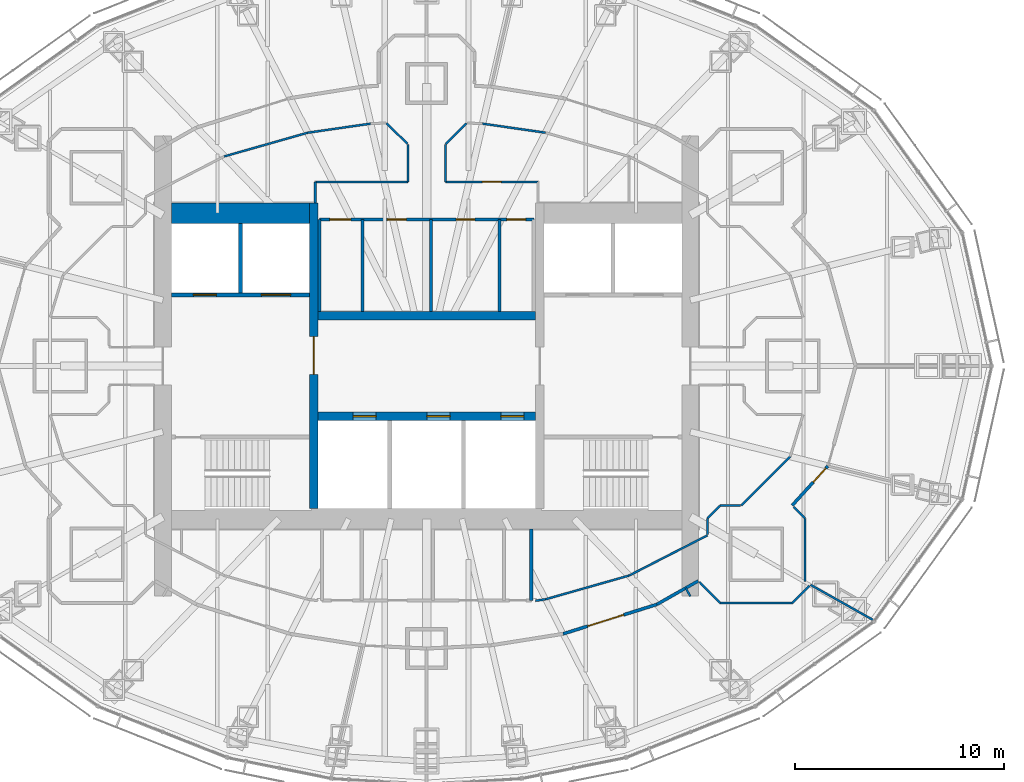
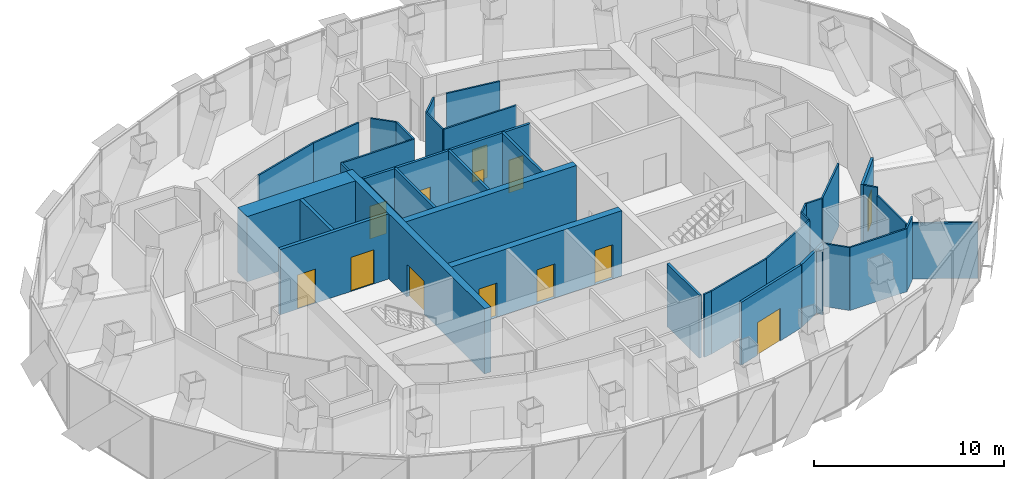
# One storey, part 13 of 18: 39 walls, 13 doors, 13 openings.
"""IFC4 building model written with IfcOpenShell, lengths in metres."""

from ifc_helpers import new_model, si_unit, direction, frame, frame_2d, origin, place, context, subcontext, project, spatial, rectangle, extrude, material, layer, layer_set, type_object, element, fill, save


model = new_model("IFC4")

# Units and contexts
model_context = context("Model", 3, precision=1e-05, world=origin(), true_north=direction((0.0, 1.0)))
body_context = subcontext(model_context, "Body", "Model", "MODEL_VIEW")
ifc_project = project(units=[si_unit("LENGTHUNIT", "METRE"), si_unit("AREAUNIT", "SQUARE_METRE"), si_unit("VOLUMEUNIT", "CUBIC_METRE"), si_unit("PLANEANGLEUNIT", "RADIAN"), si_unit("MASSUNIT", "GRAM", prefix="KILO")], contexts=[model_context])

# Site, building, storey
site_placement = place(None, origin())
site = spatial("IfcSite", under=ifc_project, at=site_placement, CompositionType="ELEMENT")
building_placement = place(site_placement, origin())
building = spatial("IfcBuilding", under=site, at=building_placement, Name="Lantaw Convention Tower", CompositionType="ELEMENT")
storey_placement = place(building_placement, frame((0.0, 0.0, 266.199951171875)))
storey = spatial("IfcBuildingStorey", under=building, at=storey_placement, Name="L62", CompositionType="ELEMENT", Elevation=266.199951171875)

# Wall
ifc_material_1 = material(Name="Concrete C60/75", Category="concrete")
ifc_layer_1 = layer(ifc_material_1, 1.0)
ifc_layer_set_1 = layer_set([ifc_layer_1], Name="Core wall 1000")
wall_type_1 = type_object("IfcWallType", Name="Core wall 1000", PredefinedType="SHEAR", material=ifc_layer_set_1)
wall_1_placement = place(storey_placement, frame((-5.60009765625, 7.300048828125, 0.0), z_axis=(0.0, 0.0, 1.0), x_axis=(-1.0, 0.0, 0.0)))
element("IfcWall", 1, at=wall_1_placement, inside=storey, type_object=wall_type_1, Name="Core wall NW", PredefinedType="SHEAR", context=body_context, shape_type="SweptSolid", body=[
    extrude(rectangle(XDim=6.599853515625, YDim=1.0, at=frame_2d((3.2998046875, 0.0))), origin(), (0.0, 0.0, 1.0), 4.199951171875),
])

# Wall, opening, door
ifc_layer_2 = layer(ifc_material_1, 0.39990234375)
ifc_layer_set_2 = layer_set([ifc_layer_2], Name="Core wall 400")
wall_type_2 = type_object("IfcWallType", Name="Core wall 400", PredefinedType="SHEAR", material=ifc_layer_set_2)
wall_2_placement = place(storey_placement, frame((-5.39990234375, 7.800048828125, 0.0), z_axis=(0.0, 0.0, 1.0), x_axis=(0.0, -1.0, 0.0)))
wall_2 = element("IfcWall", 2, at=wall_2_placement, inside=storey, type_object=wall_type_2, Name="Core wall XW", PredefinedType="SHEAR", context=body_context, shape_type="SweptSolid", body=[
    extrude(rectangle(XDim=14.60009765625, YDim=0.39990234375, at=frame_2d((7.300048828125, 0.0))), origin(), (0.0, 0.0, 1.0), 4.199951171875),
])
opening_1_placement = place(wall_2_placement, frame((6.39990234375, 0.0, 0.0)))
opening_1 = element("IfcOpeningElement", 3, at=opening_1_placement, cuts=wall_2, Name="Opening L62.02", PredefinedType="OPENING", context=body_context, shape_type="SweptSolid", body=[
    extrude(rectangle(XDim=1.800048828125, YDim=2.10009765625, at=frame_2d((0.89990234375, 1.050048828125))), frame((0.0, 0.2099609375, 0.0), z_axis=(0.0, -1.0, 0.0), x_axis=(1.0, 0.0, 0.0)), (0.0, 0.0, 1.0), 0.419921875),
])
ifc_material_2 = material(Name="Steel, fire rated", Category="steel")
door_type_1 = type_object("IfcDoorType", Name="Lobby double door FD90", OperationType="DOUBLE_DOOR_DOUBLE_SWING", PredefinedType="DOOR", material=ifc_material_2)
door_1_placement = place(opening_1_placement, origin())
door_1 = element("IfcDoor", 4, at=door_1_placement, inside=storey, type_object=door_type_1, Name="Lift lobby door", OperationType="DOUBLE_DOOR_DOUBLE_SWING", OverallHeight=2.10009765625, OverallWidth=1.800048828125, PredefinedType="DOOR", context=body_context, shape_type="SweptSolid", body=[
    extrude(rectangle(XDim=1.800048828125, YDim=2.10009765625, at=frame_2d((0.89990234375, 1.050048828125))), frame((0.0, 0.02490234375, 0.0), z_axis=(0.0, -1.0, 0.0), x_axis=(1.0, 0.0, 0.0)), (0.0, 0.0, 1.0), 0.050048828125),
])
fill(opening_1, door_1)

# Wall, openings, doors
wall_3_placement = place(storey_placement, frame((-5.199951171875, -2.39990234375, 0.0), z_axis=(0.0, 0.0, 1.0), x_axis=(1.0, 0.0, 0.0)))
wall_3 = element("IfcWall", 5, at=wall_3_placement, inside=storey, type_object=wall_type_2, Name="Core wall BS", PredefinedType="SHEAR", context=body_context, shape_type="SweptSolid", body=[
    extrude(rectangle(XDim=10.39990234375, YDim=0.39990234375, at=frame_2d((5.199951171875, 0.0))), origin(), (0.0, 0.0, 1.0), 4.199951171875),
])
opening_2_placement = place(wall_3_placement, frame((1.683349609375, 0.0, 0.0)))
opening_2 = element("IfcOpeningElement", 6, at=opening_2_placement, cuts=wall_3, Name="Opening L62.07", PredefinedType="OPENING", context=body_context, shape_type="SweptSolid", body=[
    extrude(rectangle(XDim=1.10009765625, YDim=2.199951171875, at=frame_2d((0.550048828125, 1.10009765625))), frame((0.0, 0.2099609375, 0.0), z_axis=(0.0, -1.0, 0.0), x_axis=(1.0, 0.0, 0.0)), (0.0, 0.0, 1.0), 0.419921875),
])
opening_3_placement = place(wall_3_placement, frame((5.216796875, 0.0, 0.0)))
opening_3 = element("IfcOpeningElement", 7, at=opening_3_placement, cuts=wall_3, Name="Opening L62.08", PredefinedType="OPENING", context=body_context, shape_type="SweptSolid", body=[
    extrude(rectangle(XDim=1.10009765625, YDim=2.199951171875, at=frame_2d((0.550048828125, 1.10009765625))), frame((0.0, 0.2099609375, 0.0), z_axis=(0.0, -1.0, 0.0), x_axis=(1.0, 0.0, 0.0)), (0.0, 0.0, 1.0), 0.419921875),
])
opening_4_placement = place(wall_3_placement, frame((8.75, 0.0, 0.0)))
opening_4 = element("IfcOpeningElement", 8, at=opening_4_placement, cuts=wall_3, Name="Opening L62.09", PredefinedType="OPENING", context=body_context, shape_type="SweptSolid", body=[
    extrude(rectangle(XDim=1.10009765625, YDim=2.199951171875, at=frame_2d((0.550048828125, 1.10009765625))), frame((0.0, 0.2099609375, 0.0), z_axis=(0.0, -1.0, 0.0), x_axis=(1.0, 0.0, 0.0)), (0.0, 0.0, 1.0), 0.419921875),
])
ifc_material_3 = material(Name="Stainless steel", Category="steel")
door_type_2 = type_object("IfcDoorType", Name="Lift landing door 1100", OperationType="DOUBLE_DOOR_SLIDING", PredefinedType="DOOR", material=ifc_material_3)
door_2_placement = place(opening_2_placement, origin())
door_2 = element("IfcDoor", 9, at=door_2_placement, inside=storey, type_object=door_type_2, Name="Lift landing door S1", OperationType="DOUBLE_DOOR_SLIDING", OverallHeight=2.199951171875, OverallWidth=1.10009765625, PredefinedType="DOOR", context=body_context, shape_type="SweptSolid", body=[
    extrude(rectangle(XDim=1.10009765625, YDim=2.199951171875, at=frame_2d((0.550048828125, 1.10009765625))), frame((0.0, 0.02490234375, 0.0), z_axis=(0.0, -1.0, 0.0), x_axis=(1.0, 0.0, 0.0)), (0.0, 0.0, 1.0), 0.050048828125),
])
fill(opening_2, door_2)
door_3_placement = place(opening_3_placement, origin())
door_3 = element("IfcDoor", 10, at=door_3_placement, inside=storey, type_object=door_type_2, Name="Lift landing door S2", OperationType="DOUBLE_DOOR_SLIDING", OverallHeight=2.199951171875, OverallWidth=1.10009765625, PredefinedType="DOOR", context=body_context, shape_type="SweptSolid", body=[
    extrude(rectangle(XDim=1.10009765625, YDim=2.199951171875, at=frame_2d((0.550048828125, 1.10009765625))), frame((0.0, 0.02490234375, 0.0), z_axis=(0.0, -1.0, 0.0), x_axis=(1.0, 0.0, 0.0)), (0.0, 0.0, 1.0), 0.050048828125),
])
fill(opening_3, door_3)
door_4_placement = place(opening_4_placement, origin())
door_4 = element("IfcDoor", 11, at=door_4_placement, inside=storey, type_object=door_type_2, Name="Lift landing door S3", OperationType="DOUBLE_DOOR_SLIDING", OverallHeight=2.199951171875, OverallWidth=1.10009765625, PredefinedType="DOOR", context=body_context, shape_type="SweptSolid", body=[
    extrude(rectangle(XDim=1.10009765625, YDim=2.199951171875, at=frame_2d((0.550048828125, 1.10009765625))), frame((0.0, 0.02490234375, 0.0), z_axis=(0.0, -1.0, 0.0), x_axis=(1.0, 0.0, 0.0)), (0.0, 0.0, 1.0), 0.050048828125),
])
fill(opening_4, door_4)

# Wall
wall_4_placement = place(storey_placement, frame((5.199951171875, 2.39990234375, 0.0), z_axis=(0.0, 0.0, 1.0), x_axis=(-1.0, 0.0, 0.0)))
element("IfcWall", 12, at=wall_4_placement, inside=storey, type_object=wall_type_2, Name="Core wall BN", PredefinedType="SHEAR", context=body_context, shape_type="SweptSolid", body=[
    extrude(rectangle(XDim=10.39990234375, YDim=0.39990234375, at=frame_2d((5.199951171875, 0.0))), origin(), (0.0, 0.0, 1.0), 4.199951171875),
])

# Wall, opening, door
ifc_material_4 = material(Name="Gypsum board on steel studs, fire rated", Category="steel")
ifc_layer_3 = layer(ifc_material_4, 0.14990234375)
ifc_layer_set_3 = layer_set([ifc_layer_3], Name="Corridor wall 150 EI 60")
wall_type_3 = type_object("IfcWallType", Name="Corridor wall 150 EI 60", PredefinedType="PARTITIONING", material=ifc_layer_set_3)
wall_5_placement = place(storey_placement, frame((6.521240234375, -12.798828125, 0.0), z_axis=(0.0, 0.0, 1.0), x_axis=(0.954031103669, 0.299707612903, 0.0)))
wall_5 = element("IfcWall", 13, at=wall_5_placement, inside=storey, type_object=wall_type_3, Name="Corridor wall 150", PredefinedType="PARTITIONING", context=body_context, shape_type="SweptSolid", body=[
    extrude(rectangle(XDim=4.6953125, YDim=0.14990234375, at=frame_2d((2.34765625, 0.0))), origin(), (0.0, 0.0, 1.0), 4.050048828125),
])
opening_5_placement = place(wall_5_placement, frame((1.2314453125, 0.0, 0.0)))
opening_5 = element("IfcOpeningElement", 14, at=opening_5_placement, cuts=wall_5, Name="Opening L62.34", PredefinedType="OPENING", context=body_context, shape_type="SweptSolid", body=[
    extrude(rectangle(XDim=1.800048828125, YDim=2.10009765625, at=frame_2d((0.89990234375, 1.050048828125))), frame((0.0, 0.0849609375, 0.0), z_axis=(0.0, -1.0, 0.0), x_axis=(1.0, 0.0, 0.0)), (0.0, 0.0, 1.0), 0.169921875),
])
door_type_3 = type_object("IfcDoorType", Name="Office double door 1800 FD30", OperationType="DOUBLE_DOOR_DOUBLE_SWING", PredefinedType="DOOR", material=ifc_material_2)
door_5_placement = place(opening_5_placement, origin())
door_5 = element("IfcDoor", 15, at=door_5_placement, inside=storey, type_object=door_type_3, Name="Tenant suite door", OperationType="DOUBLE_DOOR_DOUBLE_SWING", OverallHeight=2.10009765625, OverallWidth=1.800048828125, PredefinedType="DOOR", context=body_context, shape_type="SweptSolid", body=[
    extrude(rectangle(XDim=1.800048828125, YDim=2.10009765625, at=frame_2d((0.89990234375, 1.050048828125))), frame((0.0, 0.02490234375, 0.0), z_axis=(0.0, -1.0, 0.0), x_axis=(1.0, 0.0, 0.0)), (0.0, 0.0, 1.0), 0.050048828125),
])
fill(opening_5, door_5)

# Wall
wall_6_placement = place(storey_placement, frame((11.000732421875, -11.3916015625, 0.0), z_axis=(0.0, 0.0, 1.0), x_axis=(0.869722107117, 0.493541747366, 0.0)))
element("IfcWall", 16, at=wall_6_placement, inside=storey, type_object=wall_type_3, Name="Corridor wall 150", PredefinedType="PARTITIONING", context=body_context, shape_type="SweptSolid", body=[
    extrude(rectangle(XDim=2.26953125, YDim=0.14990234375, at=frame_2d((1.134765625, 0.0))), origin(), (0.0, 0.0, 1.0), 4.050048828125),
])

# Wall, opening, door
wall_7_placement = place(storey_placement, frame((17.462646484375, -6.6650390625, 0.0), z_axis=(0.0, 0.0, 1.0), x_axis=(0.671721890643, 0.74080341632, 0.0)))
wall_7 = element("IfcWall", 17, at=wall_7_placement, inside=storey, type_object=wall_type_3, Name="Corridor wall 150", PredefinedType="PARTITIONING", context=body_context, shape_type="SweptSolid", body=[
    extrude(rectangle(XDim=2.54443359375, YDim=0.14990234375, at=frame_2d((1.272216796875, 0.0))), origin(), (0.0, 0.0, 1.0), 4.050048828125),
])
opening_6_placement = place(wall_7_placement, frame((1.5, 0.0, 0.0)))
opening_6 = element("IfcOpeningElement", 18, at=opening_6_placement, cuts=wall_7, Name="Opening L62.35", PredefinedType="OPENING", context=body_context, shape_type="SweptSolid", body=[
    extrude(rectangle(XDim=0.89990234375, YDim=2.10009765625, at=frame_2d((0.449951171875, 1.050048828125))), frame((0.0, 0.0849609375, 0.0), z_axis=(0.0, -1.0, 0.0), x_axis=(1.0, 0.0, 0.0)), (0.0, 0.0, 1.0), 0.169921875),
])
door_type_4 = type_object("IfcDoorType", Name="Office door 900 FD30", OperationType="SINGLE_SWING_LEFT", PredefinedType="DOOR", material=ifc_material_2)
door_6_placement = place(opening_6_placement, origin())
door_6 = element("IfcDoor", 19, at=door_6_placement, inside=storey, type_object=door_type_4, Name="Meeting room door", OperationType="SINGLE_SWING_LEFT", OverallHeight=2.10009765625, OverallWidth=0.89990234375, PredefinedType="DOOR", context=body_context, shape_type="SweptSolid", body=[
    extrude(rectangle(XDim=0.89990234375, YDim=2.10009765625, at=frame_2d((0.449951171875, 1.050048828125))), frame((0.0, 0.02490234375, 0.0), z_axis=(0.0, -1.0, 0.0), x_axis=(1.0, 0.0, 0.0)), (0.0, 0.0, 1.0), 0.050048828125),
])
fill(opening_6, door_6)

# Walls
ifc_material_5 = material(Name="Gypsum board on steel studs, acoustic", Category="steel")
ifc_layer_4 = layer(ifc_material_5, 0.10009765625)
ifc_layer_set_4 = layer_set([ifc_layer_4], Name="Office partition 100")
wall_type_4 = type_object("IfcWallType", Name="Office partition 100", PredefinedType="PARTITIONING", material=ifc_layer_set_4)
wall_8_placement = place(storey_placement, frame((9.67041015625, -10.01416015625, 0.0), z_axis=(0.0, 0.0, 1.0), x_axis=(-0.961973498971, -0.273142796496, 0.0)))
element("IfcWall", 20, at=wall_8_placement, inside=storey, type_object=wall_type_4, Name="Office partition 100", PredefinedType="PARTITIONING", context=body_context, shape_type="SweptSolid", body=[
    extrude(rectangle(XDim=4.148193359375, YDim=0.10009765625, at=frame_2d((2.07421875, 0.0))), origin(), (0.0, 0.0, 1.0), 4.050048828125),
])
wall_9_placement = place(storey_placement, frame((5.679931640625, -11.147216796875, 0.0), z_axis=(0.0, 0.0, 1.0), x_axis=(-0.989797891768, -0.142478536811, 0.0)))
element("IfcWall", 21, at=wall_9_placement, inside=storey, type_object=wall_type_4, Name="Office partition 100", PredefinedType="PARTITIONING", context=body_context, shape_type="SweptSolid", body=[
    extrude(rectangle(XDim=0.48486328125, YDim=0.10009765625, at=frame_2d((0.242431640625, 0.0))), origin(), (0.0, 0.0, 1.0), 4.050048828125),
])

# Wall, opening, door
wall_10_placement = place(storey_placement, frame((5.320068359375, 8.800048828125, 0.0), z_axis=(0.0, 0.0, 1.0), x_axis=(-1.0, 0.0, 0.0)))
wall_10 = element("IfcWall", 22, at=wall_10_placement, inside=storey, type_object=wall_type_4, Name="Office partition 100", PredefinedType="PARTITIONING", context=body_context, shape_type="SweptSolid", body=[
    extrude(rectangle(XDim=4.420166015625, YDim=0.10009765625, at=frame_2d((2.2099609375, 0.0))), origin(), (0.0, 0.0, 1.0), 4.050048828125),
])
opening_7_placement = place(wall_10_placement, frame((1.760009765625, 0.0, 0.0)))
opening_7 = element("IfcOpeningElement", 23, at=opening_7_placement, cuts=wall_10, Name="Opening L62.25", PredefinedType="OPENING", context=body_context, shape_type="SweptSolid", body=[
    extrude(rectangle(XDim=0.89990234375, YDim=2.10009765625, at=frame_2d((0.449951171875, 1.050048828125))), frame((0.0, 0.06005859375, 0.0), z_axis=(0.0, -1.0, 0.0), x_axis=(1.0, 0.0, 0.0)), (0.0, 0.0, 1.0), 0.1201171875),
])
ifc_material_6 = material(Name="Timber", Category="wood")
door_type_5 = type_object("IfcDoorType", Name="Office door 900", OperationType="SINGLE_SWING_LEFT", PredefinedType="DOOR", material=ifc_material_6)
door_7_placement = place(opening_7_placement, origin())
door_7 = element("IfcDoor", 24, at=door_7_placement, inside=storey, type_object=door_type_5, Name="Meeting room door", OperationType="SINGLE_SWING_LEFT", OverallHeight=2.10009765625, OverallWidth=0.89990234375, PredefinedType="DOOR", context=body_context, shape_type="SweptSolid", body=[
    extrude(rectangle(XDim=0.89990234375, YDim=2.10009765625, at=frame_2d((0.449951171875, 1.050048828125))), frame((0.0, 0.02490234375, 0.0), z_axis=(0.0, -1.0, 0.0), x_axis=(1.0, 0.0, 0.0)), (0.0, 0.0, 1.0), 0.050048828125),
])
fill(opening_7, door_7)

# Walls
wall_11_placement = place(storey_placement, frame((2.67333984375, 11.579833984375, 0.0), z_axis=(0.0, 0.0, 1.0), x_axis=(0.989805921373, -0.142422744025, 0.0)))
element("IfcWall", 25, at=wall_11_placement, inside=storey, type_object=wall_type_4, Name="Office partition 100", PredefinedType="PARTITIONING", context=body_context, shape_type="SweptSolid", body=[
    extrude(rectangle(XDim=3.03759765625, YDim=0.10009765625, at=frame_2d((1.518798828125, 0.0))), origin(), (0.0, 0.0, 1.0), 4.050048828125),
])
wall_12_placement = place(storey_placement, frame((-9.67041015625, 10.01416015625, 0.0), z_axis=(0.0, 0.0, 1.0), x_axis=(0.961973498971, 0.273142796496, 0.0)))
element("IfcWall", 26, at=wall_12_placement, inside=storey, type_object=wall_type_4, Name="Office partition 100", PredefinedType="PARTITIONING", context=body_context, shape_type="SweptSolid", body=[
    extrude(rectangle(XDim=4.148193359375, YDim=0.10009765625, at=frame_2d((2.07421875, 0.0))), origin(), (0.0, 0.0, 1.0), 4.050048828125),
])
wall_13_placement = place(storey_placement, frame((-5.679931640625, 11.147216796875, 0.0), z_axis=(0.0, 0.0, 1.0), x_axis=(0.989805921373, 0.142422744025, 0.0)))
element("IfcWall", 27, at=wall_13_placement, inside=storey, type_object=wall_type_4, Name="Office partition 100", PredefinedType="PARTITIONING", context=body_context, shape_type="SweptSolid", body=[
    extrude(rectangle(XDim=3.03759765625, YDim=0.10009765625, at=frame_2d((1.518798828125, 0.0))), origin(), (0.0, 0.0, 1.0), 4.050048828125),
])
wall_14_placement = place(storey_placement, frame((-0.89990234375, 8.800048828125, 0.0), z_axis=(0.0, 0.0, 1.0), x_axis=(-1.0, 0.0, 0.0)))
element("IfcWall", 28, at=wall_14_placement, inside=storey, type_object=wall_type_4, Name="Office partition 100", PredefinedType="PARTITIONING", context=body_context, shape_type="SweptSolid", body=[
    extrude(rectangle(XDim=4.420166015625, YDim=0.10009765625, at=frame_2d((2.2099609375, 0.0))), origin(), (0.0, 0.0, 1.0), 4.050048828125),
])
wall_15_placement = place(storey_placement, frame((-5.320068359375, 8.800048828125, 0.0), z_axis=(0.0, 0.0, 1.0), x_axis=(0.0, -1.0, 0.0)))
element("IfcWall", 29, at=wall_15_placement, inside=storey, type_object=wall_type_4, Name="Office partition 100", PredefinedType="PARTITIONING", context=body_context, shape_type="SweptSolid", body=[
    extrude(rectangle(XDim=1.0, YDim=0.10009765625, at=frame_2d((0.5, 0.0))), origin(), (0.0, 0.0, 1.0), 4.050048828125),
])
wall_16_placement = place(storey_placement, frame((12.60009765625, -11.0, 0.0), z_axis=(0.0, 0.0, 1.0), x_axis=(-0.493794495037, 0.869578631678, 0.0)))
element("IfcWall", 30, at=wall_16_placement, inside=storey, type_object=wall_type_4, Name="Office partition 100", PredefinedType="PARTITIONING", context=body_context, shape_type="SweptSolid", body=[
    extrude(rectangle(XDim=0.448974609375, YDim=0.10009765625, at=frame_2d((0.224609375, 0.0))), origin(), (0.0, 0.0, 1.0), 4.050048828125),
])
for number, where, z_axis, x_axis, name in (
    (31, (0.89990234375, 8.800048828125, 0.0), (0.0, 0.0, 1.0), (0.0, 1.0, 0.0), "Office partition 100"),
    (32, (-0.89990234375, 10.58544921875, 0.0), (0.0, 0.0, 1.0), (0.0, -1.0, 0.0), "Office partition 100"),
):
    element("IfcWall", number, at=place(storey_placement, frame(where, z_axis=z_axis, x_axis=x_axis)), inside=storey, type_object=wall_type_4, Name=name, PredefinedType="PARTITIONING", context=body_context, shape_type="SweptSolid", body=[
        extrude(rectangle(XDim=1.785400390625, YDim=0.10009765625, at=frame_2d((0.892578125, 0.0))), origin(), (0.0, 0.0, 1.0), 4.050048828125),
    ])
for number, where, z_axis, x_axis, name in (
    (33, (1.913330078125, 11.595947265625, 0.0), (0.0, 0.0, 1.0), (-0.71318945388, -0.70097132814, 0.0), "Office partition 100"),
    (34, (-0.915771484375, 10.615478515625, 0.0), (0.0, 0.0, 1.0), (-0.71318945388, 0.70097132814, 0.0), "Office partition 100"),
):
    element("IfcWall", number, at=place(storey_placement, frame(where, z_axis=z_axis, x_axis=x_axis)), inside=storey, type_object=wall_type_4, Name=name, PredefinedType="PARTITIONING", context=body_context, shape_type="SweptSolid", body=[
        extrude(rectangle(XDim=1.398681640625, YDim=0.10009765625, at=frame_2d((0.69921875, 0.0))), origin(), (0.0, 0.0, 1.0), 4.050048828125),
    ])
wall_17_placement = place(storey_placement, frame((21.3583984375, -12.149658203125, 0.0), z_axis=(0.0, 0.0, 1.0), x_axis=(-0.871730019583, 0.489986502832, 0.0)))
element("IfcWall", 35, at=wall_17_placement, inside=storey, type_object=wall_type_4, Name="Office partition 100", PredefinedType="PARTITIONING", context=body_context, shape_type="SweptSolid", body=[
    extrude(rectangle(XDim=3.4599609375, YDim=0.10009765625, at=frame_2d((1.72998046875, 0.0))), origin(), (0.0, 0.0, 1.0), 3.6005859375),
])
wall_18_placement = place(storey_placement, frame((17.37158203125, -4.331298828125, 0.0), z_axis=(0.0, 0.0, 1.0), x_axis=(-0.707587114823, -0.70662612104, 0.0)))
element("IfcWall", 36, at=wall_18_placement, inside=storey, type_object=wall_type_4, Name="Office partition 100", PredefinedType="PARTITIONING", context=body_context, shape_type="SweptSolid", body=[
    extrude(rectangle(XDim=3.302734375, YDim=0.10009765625, at=frame_2d((1.6513671875, 0.0))), origin(), (0.0, 0.0, 1.0), 4.050048828125),
])
wall_19_placement = place(storey_placement, frame((13.4150390625, -8.091796875, 0.0), z_axis=(0.0, 0.0, 1.0), x_axis=(-0.889620520549, -0.45670048108, 0.0)))
element("IfcWall", 37, at=wall_19_placement, inside=storey, type_object=wall_type_4, Name="Office partition 100", PredefinedType="PARTITIONING", context=body_context, shape_type="SweptSolid", body=[
    extrude(rectangle(XDim=4.209228515625, YDim=0.10009765625, at=frame_2d((2.1044921875, 0.0))), origin(), (0.0, 0.0, 1.0), 4.050048828125),
])
wall_20_placement = place(storey_placement, frame((13.425048828125, -8.045654296875, 0.0), z_axis=(0.0, 0.0, 1.0), x_axis=(0.0, 1.0, 0.0)))
element("IfcWall", 38, at=wall_20_placement, inside=storey, type_object=wall_type_4, Name="Office partition 100", PredefinedType="PARTITIONING", context=body_context, shape_type="SweptSolid", body=[
    extrude(rectangle(XDim=0.770263671875, YDim=0.10009765625, at=frame_2d((0.38525390625, 0.0))), origin(), (0.0, 0.0, 1.0), 4.050048828125),
])
wall_21_placement = place(storey_placement, frame((13.425048828125, -7.275390625, 0.0), z_axis=(0.0, 0.0, 1.0), x_axis=(0.707106781187, 0.707106781187, 0.0)))
element("IfcWall", 39, at=wall_21_placement, inside=storey, type_object=wall_type_4, Name="Office partition 100", PredefinedType="PARTITIONING", context=body_context, shape_type="SweptSolid", body=[
    extrude(rectangle(XDim=0.84912109375, YDim=0.10009765625, at=frame_2d((0.424560546875, 0.0))), origin(), (0.0, 0.0, 1.0), 4.050048828125),
])
wall_22_placement = place(storey_placement, frame((14.025390625, -6.675048828125, 0.0), z_axis=(0.0, 0.0, 1.0), x_axis=(1.0, 0.0, 0.0)))
element("IfcWall", 40, at=wall_22_placement, inside=storey, type_object=wall_type_4, Name="Office partition 100", PredefinedType="PARTITIONING", context=body_context, shape_type="SweptSolid", body=[
    extrude(rectangle(XDim=0.976806640625, YDim=0.10009765625, at=frame_2d((0.48828125, 0.0))), origin(), (0.0, 0.0, 1.0), 4.050048828125),
])
wall_23_placement = place(storey_placement, frame((18.2880859375, -10.49462890625, 0.0), z_axis=(0.0, 0.0, 1.0), x_axis=(-0.699823580681, -0.714315725659, 0.0)))
element("IfcWall", 41, at=wall_23_placement, inside=storey, type_object=wall_type_4, Name="Office partition 100", PredefinedType="PARTITIONING", context=body_context, shape_type="SweptSolid", body=[
    extrude(rectangle(XDim=1.162353515625, YDim=0.10009765625, at=frame_2d((0.5810546875, 0.0))), origin(), (0.0, 0.0, 1.0), 4.050048828125),
])
wall_24_placement = place(storey_placement, frame((17.474609375, -11.324951171875, 0.0), z_axis=(0.0, 0.0, 1.0), x_axis=(-1.0, 0.0, 0.0)))
element("IfcWall", 42, at=wall_24_placement, inside=storey, type_object=wall_type_4, Name="Office partition 100", PredefinedType="PARTITIONING", context=body_context, shape_type="SweptSolid", body=[
    extrude(rectangle(XDim=3.44921875, YDim=0.10009765625, at=frame_2d((1.724609375, 0.0))), origin(), (0.0, 0.0, 1.0), 4.050048828125),
])
wall_25_placement = place(storey_placement, frame((14.025390625, -11.324951171875, 0.0), z_axis=(0.0, 0.0, 1.0), x_axis=(-0.701113567316, 0.713049623606, 0.0)))
element("IfcWall", 43, at=wall_25_placement, inside=storey, type_object=wall_type_4, Name="Office partition 100", PredefinedType="PARTITIONING", context=body_context, shape_type="SweptSolid", body=[
    extrude(rectangle(XDim=1.411376953125, YDim=0.10009765625, at=frame_2d((0.70556640625, 0.0))), origin(), (0.0, 0.0, 1.0), 4.050048828125),
])
wall_26_placement = place(storey_placement, frame((17.537841796875, -6.73828125, 0.0), z_axis=(0.0, 0.0, 1.0), x_axis=(0.707106781187, -0.707106781187, 0.0)))
element("IfcWall", 44, at=wall_26_placement, inside=storey, type_object=wall_type_4, Name="Office partition 100", PredefinedType="PARTITIONING", context=body_context, shape_type="SweptSolid", body=[
    extrude(rectangle(XDim=0.759521484375, YDim=0.10009765625, at=frame_2d((0.3798828125, 0.0))), origin(), (0.0, 0.0, 1.0), 4.050048828125),
])
wall_27_placement = place(storey_placement, frame((18.074951171875, -7.275390625, 0.0), z_axis=(0.0, 0.0, 1.0), x_axis=(0.0, -1.0, 0.0)))
element("IfcWall", 45, at=wall_27_placement, inside=storey, type_object=wall_type_4, Name="Office partition 100", PredefinedType="PARTITIONING", context=body_context, shape_type="SweptSolid", body=[
    extrude(rectangle(XDim=3.02880859375, YDim=0.10009765625, at=frame_2d((1.514404296875, 0.0))), origin(), (0.0, 0.0, 1.0), 3.521728515625),
])

# Wall, openings, doors
ifc_material_7 = material(Name="Concrete blockwork, fire rated", Category="masonry")
ifc_layer_5 = layer(ifc_material_7, 0.199951171875)
ifc_layer_set_5 = layer_set([ifc_layer_5], Name="Shaft wall 200")
wall_type_5 = type_object("IfcWallType", Name="Shaft wall 200", PredefinedType="SOLIDWALL", material=ifc_layer_set_5)
wall_28_placement = place(storey_placement, frame((-12.199951171875, 3.39990234375, 0.0), z_axis=(0.0, 0.0, 1.0), x_axis=(1.0, 0.0, 0.0)))
wall_28 = element("IfcWall", 46, at=wall_28_placement, inside=storey, type_object=wall_type_5, Name="Shaft wall WN", PredefinedType="SOLIDWALL", context=body_context, shape_type="SweptSolid", body=[
    extrude(rectangle(XDim=6.599853515625, YDim=0.199951171875, at=frame_2d((3.2998046875, 0.0))), origin(), (0.0, 0.0, 1.0), 4.199951171875),
])
opening_8_placement = place(wall_28_placement, frame((1.050048828125, 0.0, 0.0)))
opening_8 = element("IfcOpeningElement", 47, at=opening_8_placement, cuts=wall_28, Name="Opening L62.10", PredefinedType="OPENING", context=body_context, shape_type="SweptSolid", body=[
    extrude(rectangle(XDim=1.10009765625, YDim=2.199951171875, at=frame_2d((0.550048828125, 1.10009765625))), frame((0.0, 0.10986328125, 0.0), z_axis=(0.0, -1.0, 0.0), x_axis=(1.0, 0.0, 0.0)), (0.0, 0.0, 1.0), 0.219970703125),
])
opening_9_placement = place(wall_28_placement, frame((4.300048828125, 0.0, 0.0)))
opening_9 = element("IfcOpeningElement", 48, at=opening_9_placement, cuts=wall_28, Name="Opening L62.11", PredefinedType="OPENING", context=body_context, shape_type="SweptSolid", body=[
    extrude(rectangle(XDim=1.39990234375, YDim=2.199951171875, at=frame_2d((0.699951171875, 1.10009765625))), frame((0.0, 0.10986328125, 0.0), z_axis=(0.0, -1.0, 0.0), x_axis=(1.0, 0.0, 0.0)), (0.0, 0.0, 1.0), 0.219970703125),
])
door_8_placement = place(opening_8_placement, origin())
door_8 = element("IfcDoor", 49, at=door_8_placement, inside=storey, type_object=door_type_2, Name="Lift landing door FF1", OperationType="DOUBLE_DOOR_SLIDING", OverallHeight=2.199951171875, OverallWidth=1.10009765625, PredefinedType="DOOR", context=body_context, shape_type="SweptSolid", body=[
    extrude(rectangle(XDim=1.10009765625, YDim=2.199951171875, at=frame_2d((0.550048828125, 1.10009765625))), frame((0.0, 0.02490234375, 0.0), z_axis=(0.0, -1.0, 0.0), x_axis=(1.0, 0.0, 0.0)), (0.0, 0.0, 1.0), 0.050048828125),
])
fill(opening_8, door_8)
door_type_6 = type_object("IfcDoorType", Name="Lift landing door 1400", OperationType="DOUBLE_DOOR_SLIDING", PredefinedType="DOOR", material=ifc_material_3)
door_9_placement = place(opening_9_placement, origin())
door_9 = element("IfcDoor", 50, at=door_9_placement, inside=storey, type_object=door_type_6, Name="Lift landing door SV1", OperationType="DOUBLE_DOOR_SLIDING", OverallHeight=2.199951171875, OverallWidth=1.39990234375, PredefinedType="DOOR", context=body_context, shape_type="SweptSolid", body=[
    extrude(rectangle(XDim=1.39990234375, YDim=2.199951171875, at=frame_2d((0.699951171875, 1.10009765625))), frame((0.0, 0.02490234375, 0.0), z_axis=(0.0, -1.0, 0.0), x_axis=(1.0, 0.0, 0.0)), (0.0, 0.0, 1.0), 0.050048828125),
])
fill(opening_9, door_9)

# Wall
wall_29_placement = place(storey_placement, frame((-8.89990234375, 3.5, 0.0), z_axis=(0.0, 0.0, 1.0), x_axis=(0.0, 1.0, 0.0)))
element("IfcWall", 51, at=wall_29_placement, inside=storey, type_object=wall_type_5, Name="Shaft wall WD", PredefinedType="SOLIDWALL", context=body_context, shape_type="SweptSolid", body=[
    extrude(rectangle(XDim=3.300048828125, YDim=0.199951171875, at=frame_2d((1.64990234375, 0.0))), origin(), (0.0, 0.0, 1.0), 4.199951171875),
])

# Wall, openings, doors
ifc_material_8 = material(Name="Concrete blockwork", Category="masonry")
ifc_layer_6 = layer(ifc_material_8, 0.14990234375)
ifc_layer_set_6 = layer_set([ifc_layer_6], Name="WC wall 150")
wall_type_6 = type_object("IfcWallType", Name="WC wall 150", PredefinedType="SOLIDWALL", material=ifc_layer_set_6)
wall_30_placement = place(storey_placement, frame((-5.1201171875, 7.0, 0.0), z_axis=(0.0, 0.0, 1.0), x_axis=(1.0, 0.0, 0.0)))
wall_30 = element("IfcWall", 52, at=wall_30_placement, inside=storey, type_object=wall_type_6, Name="WC wall 150", PredefinedType="SOLIDWALL", context=body_context, shape_type="SweptSolid", body=[
    extrude(rectangle(XDim=10.240234375, YDim=0.14990234375, at=frame_2d((5.1201171875, 0.0))), origin(), (0.0, 0.0, 1.0), 4.050048828125),
])
opening_10_placement = place(wall_30_placement, frame((0.5, 0.0, 0.0)))
opening_10 = element("IfcOpeningElement", 53, at=opening_10_placement, cuts=wall_30, Name="Opening L62.14", PredefinedType="OPENING", context=body_context, shape_type="SweptSolid", body=[
    extrude(rectangle(XDim=1.0, YDim=2.10009765625, at=frame_2d((0.5, 1.050048828125))), frame((0.0, 0.0849609375, 0.0), z_axis=(0.0, -1.0, 0.0), x_axis=(1.0, 0.0, 0.0)), (0.0, 0.0, 1.0), 0.169921875),
])
opening_11_placement = place(wall_30_placement, frame((3.248046875, 0.0, 0.0)))
opening_11 = element("IfcOpeningElement", 54, at=opening_11_placement, cuts=wall_30, Name="Opening L62.15", PredefinedType="OPENING", context=body_context, shape_type="SweptSolid", body=[
    extrude(rectangle(XDim=0.89990234375, YDim=2.10009765625, at=frame_2d((0.449951171875, 1.050048828125))), frame((0.0, 0.0849609375, 0.0), z_axis=(0.0, -1.0, 0.0), x_axis=(1.0, 0.0, 0.0)), (0.0, 0.0, 1.0), 0.169921875),
])
opening_12_placement = place(wall_30_placement, frame((6.52490234375, 0.0, 0.0)))
opening_12 = element("IfcOpeningElement", 55, at=opening_12_placement, cuts=wall_30, Name="Opening L62.16", PredefinedType="OPENING", context=body_context, shape_type="SweptSolid", body=[
    extrude(rectangle(XDim=0.89990234375, YDim=2.10009765625, at=frame_2d((0.449951171875, 1.050048828125))), frame((0.0, 0.0849609375, 0.0), z_axis=(0.0, -1.0, 0.0), x_axis=(1.0, 0.0, 0.0)), (0.0, 0.0, 1.0), 0.169921875),
])
opening_13_placement = place(wall_30_placement, frame((8.95166015625, 0.0, 0.0)))
opening_13 = element("IfcOpeningElement", 56, at=opening_13_placement, cuts=wall_30, Name="Opening L62.17", PredefinedType="OPENING", context=body_context, shape_type="SweptSolid", body=[
    extrude(rectangle(XDim=0.89990234375, YDim=2.10009765625, at=frame_2d((0.449951171875, 1.050048828125))), frame((0.0, 0.0849609375, 0.0), z_axis=(0.0, -1.0, 0.0), x_axis=(1.0, 0.0, 0.0)), (0.0, 0.0, 1.0), 0.169921875),
])
door_type_7 = type_object("IfcDoorType", Name="Accessible WC door 1000", OperationType="SINGLE_SWING_LEFT", PredefinedType="DOOR", material=ifc_material_6)
door_10_placement = place(opening_10_placement, origin())
door_10 = element("IfcDoor", 57, at=door_10_placement, inside=storey, type_object=door_type_7, Name="Accessible WC door", OperationType="SINGLE_SWING_LEFT", OverallHeight=2.10009765625, OverallWidth=1.0, PredefinedType="DOOR", context=body_context, shape_type="SweptSolid", body=[
    extrude(rectangle(XDim=1.0, YDim=2.10009765625, at=frame_2d((0.5, 1.050048828125))), frame((0.0, 0.02490234375, 0.0), z_axis=(0.0, -1.0, 0.0), x_axis=(1.0, 0.0, 0.0)), (0.0, 0.0, 1.0), 0.050048828125),
])
fill(opening_10, door_10)
door_type_8 = type_object("IfcDoorType", Name="WC door 900", OperationType="SINGLE_SWING_LEFT", PredefinedType="DOOR", material=ifc_material_6)
door_11_placement = place(opening_11_placement, origin())
door_11 = element("IfcDoor", 58, at=door_11_placement, inside=storey, type_object=door_type_8, Name="Male WC door", OperationType="SINGLE_SWING_LEFT", OverallHeight=2.10009765625, OverallWidth=0.89990234375, PredefinedType="DOOR", context=body_context, shape_type="SweptSolid", body=[
    extrude(rectangle(XDim=0.89990234375, YDim=2.10009765625, at=frame_2d((0.449951171875, 1.050048828125))), frame((0.0, 0.02490234375, 0.0), z_axis=(0.0, -1.0, 0.0), x_axis=(1.0, 0.0, 0.0)), (0.0, 0.0, 1.0), 0.050048828125),
])
fill(opening_11, door_11)
door_12_placement = place(opening_12_placement, origin())
door_12 = element("IfcDoor", 59, at=door_12_placement, inside=storey, type_object=door_type_8, Name="Female WC door", OperationType="SINGLE_SWING_LEFT", OverallHeight=2.10009765625, OverallWidth=0.89990234375, PredefinedType="DOOR", context=body_context, shape_type="SweptSolid", body=[
    extrude(rectangle(XDim=0.89990234375, YDim=2.10009765625, at=frame_2d((0.449951171875, 1.050048828125))), frame((0.0, 0.02490234375, 0.0), z_axis=(0.0, -1.0, 0.0), x_axis=(1.0, 0.0, 0.0)), (0.0, 0.0, 1.0), 0.050048828125),
])
fill(opening_12, door_12)
door_13_placement = place(opening_13_placement, origin())
door_13 = element("IfcDoor", 60, at=door_13_placement, inside=storey, type_object=door_type_8, Name="Cleaner's store door", OperationType="SINGLE_SWING_LEFT", OverallHeight=2.10009765625, OverallWidth=0.89990234375, PredefinedType="DOOR", context=body_context, shape_type="SweptSolid", body=[
    extrude(rectangle(XDim=0.89990234375, YDim=2.10009765625, at=frame_2d((0.449951171875, 1.050048828125))), frame((0.0, 0.02490234375, 0.0), z_axis=(0.0, -1.0, 0.0), x_axis=(1.0, 0.0, 0.0)), (0.0, 0.0, 1.0), 0.050048828125),
])
fill(opening_13, door_13)

# Walls
for number, where, z_axis, x_axis, name in (
    (61, (-5.1201171875, 2.60009765625, 0.0), (0.0, 0.0, 1.0), (0.0, 1.0, 0.0), "WC wall 150"),
    (62, (-3.072021484375, 2.60009765625, 0.0), (0.0, 0.0, 1.0), (0.0, 1.0, 0.0), "WC wall 150"),
    (63, (0.204833984375, 2.60009765625, 0.0), (0.0, 0.0, 1.0), (0.0, 1.0, 0.0), "WC wall 150"),
    (64, (3.481689453125, 2.60009765625, 0.0), (0.0, 0.0, 1.0), (0.0, 1.0, 0.0), "WC wall 150"),
):
    element("IfcWall", number, at=place(storey_placement, frame(where, z_axis=z_axis, x_axis=x_axis)), inside=storey, type_object=wall_type_6, Name=name, PredefinedType="SOLIDWALL", context=body_context, shape_type="SweptSolid", body=[
        extrude(rectangle(XDim=4.39990234375, YDim=0.14990234375, at=frame_2d((2.199951171875, 0.0))), origin(), (0.0, 0.0, 1.0), 4.050048828125),
    ])
wall_31_placement = place(storey_placement, frame((5.0, -7.800048828125, 0.0), z_axis=(0.0, 0.0, 1.0), x_axis=(0.0, -1.0, 0.0)))
element("IfcWall", 65, at=wall_31_placement, inside=storey, type_object=wall_type_6, Name="WC wall 150", PredefinedType="SOLIDWALL", context=body_context, shape_type="SweptSolid", body=[
    extrude(rectangle(XDim=3.39990234375, YDim=0.14990234375, at=frame_2d((1.699951171875, 0.0))), origin(), (0.0, 0.0, 1.0), 4.050048828125),
])

save(model, "model.ifc")
